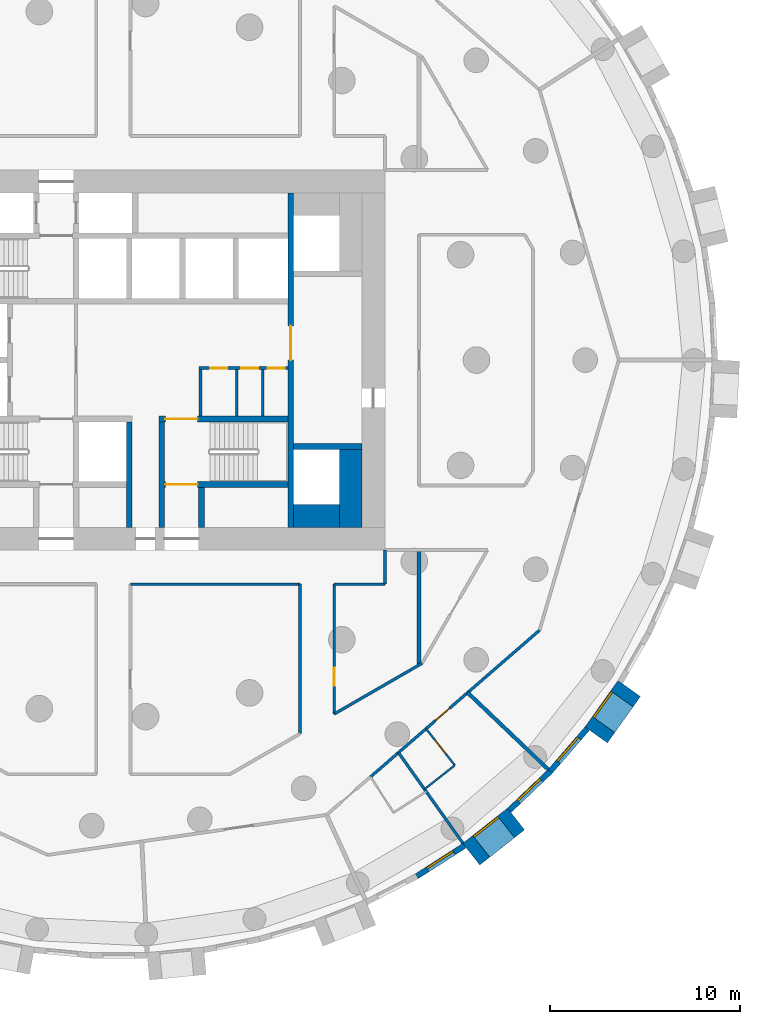
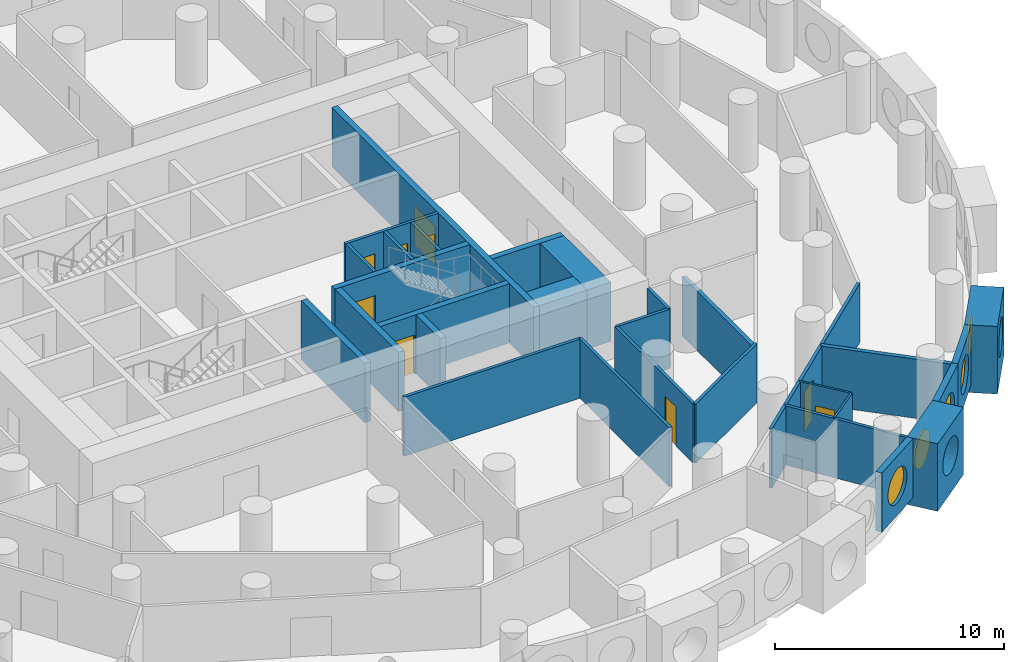
# One storey, part 5 of 11: 30 walls, 9 doors, 5 windows, 14 openings.
"""IFC4 building model written with IfcOpenShell, lengths in metres."""

from ifc_helpers import new_model, si_unit, direction, frame, frame_2d, origin, origin_2d, place, context, subcontext, project, spatial, rectangle, circle, extrude, material, layer, layer_set, type_object, element, fill, save


model = new_model("IFC4")

# Units and contexts
model_context = context("Model", 3, precision=1e-05, world=origin(), true_north=direction((0.0, 1.0)))
body_context = subcontext(model_context, "Body", "Model", "MODEL_VIEW")
ifc_project = project(units=[si_unit("LENGTHUNIT", "METRE"), si_unit("AREAUNIT", "SQUARE_METRE"), si_unit("VOLUMEUNIT", "CUBIC_METRE"), si_unit("PLANEANGLEUNIT", "RADIAN"), si_unit("MASSUNIT", "GRAM", prefix="KILO")], contexts=[model_context])

# Site, building, storey
site_placement = place(None, origin())
site = spatial("IfcSite", under=ifc_project, at=site_placement, CompositionType="ELEMENT")
building_placement = place(site_placement, origin())
building = spatial("IfcBuilding", under=site, at=building_placement, Name="Tracery Tower", CompositionType="ELEMENT")
storey_placement = place(building_placement, frame((0.0, 0.0, 67.800048828125)))
storey = spatial("IfcBuildingStorey", under=building, at=storey_placement, Name="L16", CompositionType="ELEMENT", Elevation=67.800048828125)

# Wall
ifc_material_1 = material(Name="Plasterboard on steel studs", Category="steel")
ifc_layer_1 = layer(ifc_material_1, 0.14990234375)
ifc_layer_set_1 = layer_set([ifc_layer_1], Name="Core room partition 150")
wall_type_1 = type_object("IfcWallType", Name="Core room partition 150", PredefinedType="SOLIDWALL", material=ifc_layer_set_1)
wall_1_placement = place(storey_placement, frame((4.300048828125, -2.949951171875, 0.0), z_axis=(0.0, 0.0, 1.0), x_axis=(0.0, 1.0, 0.0)))
element("IfcWall", 1, at=wall_1_placement, inside=storey, type_object=wall_type_1, Name="L16 slot W", PredefinedType="SOLIDWALL", context=body_context, shape_type="SweptSolid", body=[
    extrude(rectangle(XDim=2.449951171875, YDim=0.14990234375, at=frame_2d((1.22509765625, 0.0))), origin(), (0.0, 0.0, 1.0), 3.14990234375),
])

# Wall, openings, doors
wall_2_placement = place(storey_placement, frame((4.22509765625, -0.425048828125, 0.0), z_axis=(0.0, 0.0, 1.0), x_axis=(1.0, 0.0, 0.0)))
wall_2 = element("IfcWall", 2, at=wall_2_placement, inside=storey, type_object=wall_type_1, Name="L16 slot N", PredefinedType="SOLIDWALL", context=body_context, shape_type="SweptSolid", body=[
    extrude(rectangle(XDim=4.6748046875, YDim=0.14990234375, at=frame_2d((2.33740234375, 0.0))), origin(), (0.0, 0.0, 1.0), 3.14990234375),
])
opening_1_placement = place(wall_2_placement, frame((0.574951171875, 0.0, 0.0)))
opening_1 = element("IfcOpeningElement", 3, at=opening_1_placement, cuts=wall_2, Name="Opening KD22", PredefinedType="OPENING", context=body_context, shape_type="SweptSolid", body=[
    extrude(rectangle(XDim=0.89990234375, YDim=2.10009765625, at=frame_2d((0.449951171875, 1.050048828125))), frame((0.0, 0.074951171875, 0.0), z_axis=(0.0, -1.0, 0.0), x_axis=(1.0, 0.0, 0.0)), (0.0, 0.0, 1.0), 0.14990234375),
])
opening_2_placement = place(wall_2_placement, frame((2.21240234375, 0.0, 0.0)))
opening_2 = element("IfcOpeningElement", 4, at=opening_2_placement, cuts=wall_2, Name="Opening KD31", PredefinedType="OPENING", context=body_context, shape_type="SweptSolid", body=[
    extrude(rectangle(XDim=0.89990234375, YDim=2.10009765625, at=frame_2d((0.449951171875, 1.050048828125))), frame((0.0, 0.074951171875, 0.0), z_axis=(0.0, -1.0, 0.0), x_axis=(1.0, 0.0, 0.0)), (0.0, 0.0, 1.0), 0.14990234375),
])
opening_3_placement = place(wall_2_placement, frame((3.60009765625, 0.0, 0.0)))
opening_3 = element("IfcOpeningElement", 5, at=opening_3_placement, cuts=wall_2, Name="Opening KD27", PredefinedType="OPENING", context=body_context, shape_type="SweptSolid", body=[
    extrude(rectangle(XDim=0.89990234375, YDim=2.10009765625, at=frame_2d((0.449951171875, 1.050048828125))), frame((0.0, 0.074951171875, 0.0), z_axis=(0.0, -1.0, 0.0), x_axis=(1.0, 0.0, 0.0)), (0.0, 0.0, 1.0), 0.14990234375),
])
ifc_material_2 = material(Name="Timber door leaf", Category="wood")
door_type_1 = type_object("IfcDoorType", Name="Core WC door 900", OperationType="NOTDEFINED", PredefinedType="DOOR", material=ifc_material_2)
door_1_placement = place(opening_1_placement, origin())
door_1 = element("IfcDoor", 6, at=door_1_placement, inside=storey, type_object=door_type_1, Name="Core door", OperationType="SINGLE_SWING_RIGHT", OverallHeight=2.10009765625, OverallWidth=0.89990234375, PredefinedType="DOOR", context=body_context, shape_type="SweptSolid", body=[
    extrude(rectangle(XDim=0.89990234375, YDim=2.10009765625, at=frame_2d((0.449951171875, 1.050048828125))), frame((0.0, 0.02490234375, 0.0), z_axis=(0.0, -1.0, 0.0), x_axis=(1.0, 0.0, 0.0)), (0.0, 0.0, 1.0), 0.050048828125),
])
fill(opening_1, door_1)
ifc_material_3 = material(Name="Steel fire door", Category="steel")
door_type_2 = type_object("IfcDoorType", Name="Core riser door 900", OperationType="NOTDEFINED", PredefinedType="DOOR", material=ifc_material_3)
door_2_placement = place(opening_2_placement, origin())
door_2 = element("IfcDoor", 7, at=door_2_placement, inside=storey, type_object=door_type_2, Name="Core door", OperationType="SINGLE_SWING_LEFT", OverallHeight=2.10009765625, OverallWidth=0.89990234375, PredefinedType="DOOR", context=body_context, shape_type="SweptSolid", body=[
    extrude(rectangle(XDim=0.89990234375, YDim=2.10009765625, at=frame_2d((0.449951171875, 1.050048828125))), frame((0.0, 0.02490234375, 0.0), z_axis=(0.0, -1.0, 0.0), x_axis=(1.0, 0.0, 0.0)), (0.0, 0.0, 1.0), 0.050048828125),
])
fill(opening_2, door_2)
ifc_material_4 = material(Name="Timber door leaf", Category="wood")
door_type_3 = type_object("IfcDoorType", Name="Core store door 900", OperationType="NOTDEFINED", PredefinedType="DOOR", material=ifc_material_4)
door_3_placement = place(opening_3_placement, origin())
door_3 = element("IfcDoor", 8, at=door_3_placement, inside=storey, type_object=door_type_3, Name="Core door", OperationType="SINGLE_SWING_RIGHT", OverallHeight=2.10009765625, OverallWidth=0.89990234375, PredefinedType="DOOR", context=body_context, shape_type="SweptSolid", body=[
    extrude(rectangle(XDim=0.89990234375, YDim=2.10009765625, at=frame_2d((0.449951171875, 1.050048828125))), frame((0.0, 0.02490234375, 0.0), z_axis=(0.0, -1.0, 0.0), x_axis=(1.0, 0.0, 0.0)), (0.0, 0.0, 1.0), 0.050048828125),
])
fill(opening_3, door_3)

# Walls
for number, where, z_axis, x_axis, name in (
    (9, (6.199951171875, -2.949951171875, 0.0), (0.0, 0.0, 1.0), (0.0, 1.0, 0.0), "L16 slot sep 1"),
    (10, (7.574951171875, -2.949951171875, 0.0), (0.0, 0.0, 1.0), (0.0, 1.0, 0.0), "L16 slot sep 2"),
):
    element("IfcWall", number, at=place(storey_placement, frame(where, z_axis=z_axis, x_axis=x_axis)), inside=storey, type_object=wall_type_1, Name=name, PredefinedType="SOLIDWALL", context=body_context, shape_type="SweptSolid", body=[
        extrude(rectangle(XDim=2.449951171875, YDim=0.14990234375, at=frame_2d((1.22509765625, 0.0))), origin(), (0.0, 0.0, 1.0), 3.14990234375),
    ])
ifc_material_5 = material(Name="Concrete C60/75", Category="concrete")
ifc_layer_2 = layer(ifc_material_5, 1.199951171875)
ifc_layer_set_2 = layer_set([ifc_layer_2], Name="Core strip wall 1200 C60")
wall_type_2 = type_object("IfcWallType", Name="Core strip wall 1200 C60", PredefinedType="SOLIDWALL", material=ifc_layer_set_2)
wall_3_placement = place(storey_placement, frame((12.199951171875, -8.800048828125, 0.0), z_axis=(0.0, 0.0, 1.0), x_axis=(0.0, 1.0, 0.0)))
element("IfcWall", 11, at=wall_3_placement, inside=storey, type_object=wall_type_2, Name="L16 wing strip +1 -9.4", PredefinedType="SOLIDWALL", context=body_context, shape_type="SweptSolid", body=[
    extrude(rectangle(XDim=4.10009765625, YDim=1.199951171875, at=frame_2d((2.050048828125, 0.0))), origin(), (0.0, 0.0, 1.0), 3.14990234375),
])
wall_4_placement = place(storey_placement, frame((9.199951171875, -8.199951171875, 0.0), z_axis=(0.0, 0.0, 1.0), x_axis=(1.0, 0.0, 0.0)))
element("IfcWall", 12, at=wall_4_placement, inside=storey, type_object=wall_type_2, Name="L16 wing corner +1 -8.2", PredefinedType="SOLIDWALL", context=body_context, shape_type="SweptSolid", body=[
    extrude(rectangle(XDim=2.400146484375, YDim=1.199951171875, at=frame_2d((1.2001953125, 0.0))), origin(), (0.0, 0.0, 1.0), 3.14990234375),
])

# Wall, opening, window
ifc_material_6 = material(Name="Precast concrete C50/60", Category="concrete")
ifc_layer_3 = layer(ifc_material_6, 1.449951171875)
ifc_layer_set_3 = layer_set([ifc_layer_3], Name="Deep-set bay unit 3000 x 3600, slab edge 450")
wall_type_3 = type_object("IfcWallType", Name="Deep-set bay unit 3000 x 3600, slab edge 450", PredefinedType="ELEMENTEDWALL", material=ifc_layer_set_3)
wall_5_placement = place(storey_placement, frame((18.548828125, -26.01318359375, -0.449951171875), z_axis=(0.0, 0.0, 1.0), x_axis=(0.786049992888, 0.618162930529, 0.0)))
wall_5 = element("IfcWall", 13, at=wall_5_placement, inside=storey, type_object=wall_type_3, Name="Deep-set bay unit 57 at L16", PredefinedType="ELEMENTEDWALL", context=body_context, shape_type="SweptSolid", body=[
    extrude(rectangle(XDim=3.0, YDim=1.449951171875, at=frame_2d((1.5, 0.0))), origin(), (0.0, 0.0, 1.0), 3.599853515625),
])
opening_4_placement = place(wall_5_placement, frame((1.5, 0.0, 2.0)))
opening_4 = element("IfcOpeningElement", 14, at=opening_4_placement, cuts=wall_5, Name="Opening WN1", PredefinedType="OPENING", context=body_context, shape_type="SweptSolid", body=[
    extrude(circle(Radius=0.9000244140625, at=origin_2d()), frame((0.0, 0.73486328125, 0.0), z_axis=(0.0, -1.0, 0.0), x_axis=(1.0, 0.0, 0.0)), (0.0, 0.0, 1.0), 1.469970703125),
])
ifc_material_7 = material(Name="Aluminium frame with tinted double glazing", Category="aluminium")
window_type = type_object("IfcWindowType", Name="Round window 1800", PartitioningType="SINGLE_PANEL", PredefinedType="WINDOW", material=ifc_material_7)
window_1_placement = place(opening_4_placement, origin())
window_1 = element("IfcWindow", 15, at=window_1_placement, inside=storey, type_object=window_type, Name="Round window 57 at L16", OverallHeight=1.800048828125, OverallWidth=1.800048828125, PartitioningType="SINGLE_PANEL", PredefinedType="WINDOW", context=body_context, shape_type="SweptSolid", body=[
    extrude(circle(Radius=0.9000244140625, at=origin_2d()), frame((0.0, 0.69482421875, 0.0), z_axis=(0.0, -1.0, 0.0), x_axis=(1.0, 0.0, 0.0)), (0.0, 0.0, 1.0), 0.10009765625),
])
fill(opening_4, window_1)

wall_6_placement = place(storey_placement, frame((25.126220703125, -19.733642578125, -0.449951171875), z_axis=(0.0, 0.0, 1.0), x_axis=(0.580090570606, 0.814551981088, 0.0)))
wall_6 = element("IfcWall", 16, at=wall_6_placement, inside=storey, type_object=wall_type_3, Name="Deep-set bay unit 60 at L16", PredefinedType="ELEMENTEDWALL", context=body_context, shape_type="SweptSolid", body=[
    extrude(rectangle(XDim=3.0, YDim=1.449951171875, at=frame_2d((1.5, 0.0))), origin(), (0.0, 0.0, 1.0), 3.599853515625),
])
opening_5_placement = place(wall_6_placement, frame((1.5, 0.0, 2.0)))
opening_5 = element("IfcOpeningElement", 17, at=opening_5_placement, cuts=wall_6, Name="Opening WN1", PredefinedType="OPENING", context=body_context, shape_type="SweptSolid", body=[
    extrude(circle(Radius=0.9000244140625, at=origin_2d()), frame((0.0, 0.73486328125, 0.0), z_axis=(0.0, -1.0, 0.0), x_axis=(1.0, 0.0, 0.0)), (0.0, 0.0, 1.0), 1.469970703125),
])
window_2_placement = place(opening_5_placement, origin())
window_2 = element("IfcWindow", 18, at=window_2_placement, inside=storey, type_object=window_type, Name="Round window 60 at L16", OverallHeight=1.800048828125, OverallWidth=1.800048828125, PartitioningType="SINGLE_PANEL", PredefinedType="WINDOW", context=body_context, shape_type="SweptSolid", body=[
    extrude(circle(Radius=0.9000244140625, at=origin_2d()), frame((0.0, 0.69482421875, 0.0), z_axis=(0.0, -1.0, 0.0), x_axis=(1.0, 0.0, 0.0)), (0.0, 0.0, 1.0), 0.10009765625),
])
fill(opening_5, window_2)

ifc_material_8 = material(Name="Precast concrete C50/60", Category="concrete")
ifc_layer_4 = layer(ifc_material_8, 0.300048828125)
ifc_layer_set_4 = layer_set([ifc_layer_4], Name="Facade panel 3000 x 3150")
wall_type_4 = type_object("IfcWallType", Name="Facade panel 3000 x 3150", PredefinedType="SOLIDWALL", material=ifc_layer_set_4)
wall_7_placement = place(storey_placement, frame((15.687255859375, -27.171142578125, 0.0), z_axis=(0.0, 0.0, 1.0), x_axis=(0.84122372879, 0.540687190639, 0.0)))
wall_7 = element("IfcWall", 19, at=wall_7_placement, inside=storey, type_object=wall_type_4, Name="Facade panel 56 at L16", PredefinedType="SOLIDWALL", context=body_context, shape_type="SweptSolid", body=[
    extrude(rectangle(XDim=2.979736328125, YDim=0.300048828125, at=frame_2d((1.48974609375, 0.0))), origin(), (0.0, 0.0, 1.0), 3.14990234375),
])
opening_6_placement = place(wall_7_placement, frame((1.48974609375, 0.0, 1.5498046875)))
opening_6 = element("IfcOpeningElement", 20, at=opening_6_placement, cuts=wall_7, Name="Opening WN1", PredefinedType="OPENING", context=body_context, shape_type="SweptSolid", body=[
    extrude(circle(Radius=0.9000244140625, at=origin_2d()), frame((0.0, 0.159912109375, 0.0), z_axis=(0.0, -1.0, 0.0), x_axis=(1.0, 0.0, 0.0)), (0.0, 0.0, 1.0), 0.320068359375),
])
window_3_placement = place(opening_6_placement, origin())
window_3 = element("IfcWindow", 21, at=window_3_placement, inside=storey, type_object=window_type, Name="Round window 56 at L16", OverallHeight=1.800048828125, OverallWidth=1.800048828125, PartitioningType="SINGLE_PANEL", PredefinedType="WINDOW", context=body_context, shape_type="SweptSolid", body=[
    extrude(circle(Radius=0.9000244140625, at=origin_2d()), frame((0.0, 0.1201171875, 0.0), z_axis=(0.0, -1.0, 0.0), x_axis=(1.0, 0.0, 0.0)), (0.0, 0.0, 1.0), 0.10009765625),
])
fill(opening_6, window_3)

wall_8_placement = place(storey_placement, frame((20.55029296875, -23.70703125, 0.0), z_axis=(0.0, 0.0, 1.0), x_axis=(0.723744206617, 0.690068346896, 0.0)))
wall_8 = element("IfcWall", 22, at=wall_8_placement, inside=storey, type_object=wall_type_4, Name="Facade panel 58 at L16", PredefinedType="SOLIDWALL", context=body_context, shape_type="SweptSolid", body=[
    extrude(rectangle(XDim=2.979736328125, YDim=0.300048828125, at=frame_2d((1.48974609375, 0.0))), origin(), (0.0, 0.0, 1.0), 3.14990234375),
])
opening_7_placement = place(wall_8_placement, frame((1.48974609375, 0.0, 1.5498046875)))
opening_7 = element("IfcOpeningElement", 23, at=opening_7_placement, cuts=wall_8, Name="Opening WN1", PredefinedType="OPENING", context=body_context, shape_type="SweptSolid", body=[
    extrude(circle(Radius=0.9000244140625, at=origin_2d()), frame((0.0, 0.159912109375, 0.0), z_axis=(0.0, -1.0, 0.0), x_axis=(1.0, 0.0, 0.0)), (0.0, 0.0, 1.0), 0.320068359375),
])
window_4_placement = place(opening_7_placement, origin())
window_4 = element("IfcWindow", 24, at=window_4_placement, inside=storey, type_object=window_type, Name="Round window 58 at L16", OverallHeight=1.800048828125, OverallWidth=1.800048828125, PartitioningType="SINGLE_PANEL", PredefinedType="WINDOW", context=body_context, shape_type="SweptSolid", body=[
    extrude(circle(Radius=0.9000244140625, at=origin_2d()), frame((0.0, 0.1201171875, 0.0), z_axis=(0.0, -1.0, 0.0), x_axis=(1.0, 0.0, 0.0)), (0.0, 0.0, 1.0), 0.10009765625),
])
fill(opening_7, window_4)

wall_9_placement = place(storey_placement, frame((22.706787109375, -21.65087890625, 0.0), z_axis=(0.0, 0.0, 1.0), x_axis=(0.654830712471, 0.755775587066, 0.0)))
wall_9 = element("IfcWall", 25, at=wall_9_placement, inside=storey, type_object=wall_type_4, Name="Facade panel 59 at L16", PredefinedType="SOLIDWALL", context=body_context, shape_type="SweptSolid", body=[
    extrude(rectangle(XDim=2.979736328125, YDim=0.300048828125, at=frame_2d((1.48974609375, 0.0))), origin(), (0.0, 0.0, 1.0), 3.14990234375),
])
opening_8_placement = place(wall_9_placement, frame((1.48974609375, 0.0, 1.5498046875)))
opening_8 = element("IfcOpeningElement", 26, at=opening_8_placement, cuts=wall_9, Name="Opening WN1", PredefinedType="OPENING", context=body_context, shape_type="SweptSolid", body=[
    extrude(circle(Radius=0.9000244140625, at=origin_2d()), frame((0.0, 0.159912109375, 0.0), z_axis=(0.0, -1.0, 0.0), x_axis=(1.0, 0.0, 0.0)), (0.0, 0.0, 1.0), 0.320068359375),
])
window_5_placement = place(opening_8_placement, origin())
window_5 = element("IfcWindow", 27, at=window_5_placement, inside=storey, type_object=window_type, Name="Round window 59 at L16", OverallHeight=1.800048828125, OverallWidth=1.800048828125, PartitioningType="SINGLE_PANEL", PredefinedType="WINDOW", context=body_context, shape_type="SweptSolid", body=[
    extrude(circle(Radius=0.9000244140625, at=origin_2d()), frame((0.0, 0.1201171875, 0.0), z_axis=(0.0, -1.0, 0.0), x_axis=(1.0, 0.0, 0.0)), (0.0, 0.0, 1.0), 0.10009765625),
])
fill(opening_8, window_5)

# Wall
ifc_material_9 = material(Name="Plasterboard on steel studs", Category="steel")
ifc_layer_5 = layer(ifc_material_9, 0.10009765625)
ifc_layer_set_5 = layer_set([ifc_layer_5], Name="Partition 100 wet wall")
wall_type_5 = type_object("IfcWallType", Name="Partition 100 wet wall", PredefinedType="PARTITIONING", material=ifc_layer_set_5)
wall_10_placement = place(storey_placement, frame((16.0859375, -22.589111328125, 0.0), z_axis=(0.0, 0.0, 1.0), x_axis=(0.785984904201, 0.618245687707, 0.0)))
element("IfcWall", 28, at=wall_10_placement, inside=storey, type_object=wall_type_5, Name="Wet wall RA4-090", PredefinedType="PARTITIONING", context=body_context, shape_type="SweptSolid", body=[
    extrude(rectangle(XDim=2.033203125, YDim=0.10009765625, at=frame_2d((1.0166015625, 0.0))), origin(), (0.0, 0.0, 1.0), 3.14990234375),
])

# Wall, opening, door
wall_11_placement = place(storey_placement, frame((16.16796875, -19.404052734375, 0.0), z_axis=(0.0, 0.0, 1.0), x_axis=(0.618142414415, -0.786066126672, 0.0)))
wall_11 = element("IfcWall", 29, at=wall_11_placement, inside=storey, type_object=wall_type_5, Name="Wet wall RA4-091", PredefinedType="PARTITIONING", context=body_context, shape_type="SweptSolid", body=[
    extrude(rectangle(XDim=2.45263671875, YDim=0.10009765625, at=frame_2d((1.226318359375, 0.0))), origin(), (0.0, 0.0, 1.0), 3.14990234375),
])
opening_9_placement = place(wall_11_placement, frame((0.776611328125, 0.0, 0.0)))
opening_9 = element("IfcOpeningElement", 30, at=opening_9_placement, cuts=wall_11, Name="Opening RA4-32", PredefinedType="OPENING", context=body_context, shape_type="SweptSolid", body=[
    extrude(rectangle(XDim=0.89990234375, YDim=2.0400390625, at=frame_2d((0.449951171875, 1.02001953125))), frame((0.0, 0.050048828125, 0.0), z_axis=(0.0, -1.0, 0.0), x_axis=(1.0, 0.0, 0.0)), (0.0, 0.0, 1.0), 0.10009765625),
])
ifc_material_10 = material(Name="Timber door leaf", Category="wood")
door_type_4 = type_object("IfcDoorType", Name="Door en-suite 900", OperationType="NOTDEFINED", PredefinedType="DOOR", material=ifc_material_10)
door_4_placement = place(opening_9_placement, origin())
door_4 = element("IfcDoor", 31, at=door_4_placement, inside=storey, type_object=door_type_4, Name="En-suite door RA4-32", OperationType="SINGLE_SWING_LEFT", OverallHeight=2.0400390625, OverallWidth=0.89990234375, PredefinedType="DOOR", context=body_context, shape_type="SweptSolid", body=[
    extrude(rectangle(XDim=0.89990234375, YDim=2.0400390625, at=frame_2d((0.449951171875, 1.02001953125))), frame((0.0, 0.02490234375, 0.0), z_axis=(0.0, -1.0, 0.0), x_axis=(1.0, 0.0, 0.0)), (0.0, 0.0, 1.0), 0.050048828125),
])
fill(opening_9, door_4)

# Walls
ifc_material_11 = material(Name="Plasterboard on steel studs", Category="steel")
ifc_layer_6 = layer(ifc_material_11, 0.14990234375)
ifc_layer_set_6 = layer_set([ifc_layer_6], Name="Partition 150 acoustic unit wall")
wall_type_6 = type_object("IfcWallType", Name="Partition 150 acoustic unit wall", PredefinedType="PARTITIONING", material=ifc_layer_set_6)
wall_12_placement = place(storey_placement, frame((14.71533203125, -20.663818359375, 0.0), z_axis=(0.0, 0.0, 1.0), x_axis=(0.57995989616, -0.814645026282, 0.0)))
element("IfcWall", 32, at=wall_12_placement, inside=storey, type_object=wall_type_6, Name="Unit wall RA4-089", PredefinedType="PARTITIONING", context=body_context, shape_type="SweptSolid", body=[
    extrude(rectangle(XDim=5.85693359375, YDim=0.14990234375, at=frame_2d((2.928466796875, 0.0))), origin(), (0.0, 0.0, 1.0), 3.14990234375),
])
ifc_material_12 = material(Name="Plasterboard on steel studs", Category="steel")
ifc_layer_7 = layer(ifc_material_12, 0.14990234375)
ifc_layer_set_7 = layer_set([ifc_layer_7], Name="Partition 150 corridor wall")
wall_type_7 = type_object("IfcWallType", Name="Partition 150 corridor wall", PredefinedType="PARTITIONING", material=ifc_layer_set_7)
wall_13_placement = place(storey_placement, frame((0.60400390625, -11.800048828125, 0.0), z_axis=(0.0, 0.0, 1.0), x_axis=(1.0, 0.0, 0.0)))
element("IfcWall", 33, at=wall_13_placement, inside=storey, type_object=wall_type_7, Name="Corridor wall RA4-007", PredefinedType="PARTITIONING", context=body_context, shape_type="SweptSolid", body=[
    extrude(rectangle(XDim=8.93603515625, YDim=0.14990234375, at=frame_2d((4.468017578125, 0.0))), origin(), (0.0, 0.0, 1.0), 3.14990234375),
])
wall_14_placement = place(storey_placement, frame((14.0, -11.800048828125, 0.0), z_axis=(0.0, 0.0, 1.0), x_axis=(0.0, 1.0, 0.0)))
element("IfcWall", 34, at=wall_14_placement, inside=storey, type_object=wall_type_7, Name="Corridor wall RA4-008", PredefinedType="PARTITIONING", context=body_context, shape_type="SweptSolid", body=[
    extrude(rectangle(XDim=1.800048828125, YDim=0.14990234375, at=frame_2d((0.89990234375, 0.0))), origin(), (0.0, 0.0, 1.0), 3.14990234375),
])
wall_15_placement = place(storey_placement, frame((11.33203125, -11.800048828125, 0.0), z_axis=(0.0, 0.0, 1.0), x_axis=(1.0, 0.0, 0.0)))
element("IfcWall", 35, at=wall_15_placement, inside=storey, type_object=wall_type_7, Name="Corridor wall RA4-009", PredefinedType="PARTITIONING", context=body_context, shape_type="SweptSolid", body=[
    extrude(rectangle(XDim=2.66796875, YDim=0.14990234375, at=frame_2d((1.333984375, 0.0))), origin(), (0.0, 0.0, 1.0), 3.14990234375),
])

# Wall, opening, door
wall_16_placement = place(storey_placement, frame((13.247314453125, -21.939453125, 0.0), z_axis=(0.0, 0.0, 1.0), x_axis=(0.755420750547, 0.655240024451, 0.0)))
wall_16 = element("IfcWall", 36, at=wall_16_placement, inside=storey, type_object=wall_type_7, Name="Corridor wall RA4-024", PredefinedType="PARTITIONING", context=body_context, shape_type="SweptSolid", body=[
    extrude(rectangle(XDim=11.770751953125, YDim=0.14990234375, at=frame_2d((5.88525390625, 0.0))), origin(), (0.0, 0.0, 1.0), 3.14990234375),
])
opening_10_placement = place(wall_16_placement, frame((4.512939453125, 0.0, 0.0)))
opening_10 = element("IfcOpeningElement", 37, at=opening_10_placement, cuts=wall_16, Name="Opening RA4-33", PredefinedType="OPENING", context=body_context, shape_type="SweptSolid", body=[
    extrude(rectangle(XDim=1.0, YDim=2.10009765625, at=frame_2d((0.5, 1.050048828125))), frame((0.0, 0.074951171875, 0.0), z_axis=(0.0, -1.0, 0.0), x_axis=(1.0, 0.0, 0.0)), (0.0, 0.0, 1.0), 0.14990234375),
])
ifc_material_13 = material(Name="Timber door leaf", Category="wood")
door_type_5 = type_object("IfcDoorType", Name="Door unit entrance 1000", OperationType="NOTDEFINED", PredefinedType="DOOR", material=ifc_material_13)
door_5_placement = place(opening_10_placement, origin())
door_5 = element("IfcDoor", 38, at=door_5_placement, inside=storey, type_object=door_type_5, Name="Unit entrance door RA4-33", OperationType="SINGLE_SWING_LEFT", OverallHeight=2.10009765625, OverallWidth=1.0, PredefinedType="DOOR", context=body_context, shape_type="SweptSolid", body=[
    extrude(rectangle(XDim=1.0, YDim=2.10009765625, at=frame_2d((0.5, 1.050048828125))), frame((0.0, 0.02490234375, 0.0), z_axis=(0.0, -1.0, 0.0), x_axis=(1.0, 0.0, 0.0)), (0.0, 0.0, 1.0), 0.050048828125),
])
fill(opening_10, door_5)

# Wall
wall_17_placement = place(storey_placement, frame((9.535888671875, -19.6689453125, 0.0), z_axis=(0.0, 0.0, 1.0), x_axis=(0.0, 1.0, 0.0)))
element("IfcWall", 39, at=wall_17_placement, inside=storey, type_object=wall_type_7, Name="Corridor wall RA4-055", PredefinedType="PARTITIONING", context=body_context, shape_type="SweptSolid", body=[
    extrude(rectangle(XDim=7.868896484375, YDim=0.14990234375, at=frame_2d((3.9345703125, 0.0))), origin(), (0.0, 0.0, 1.0), 3.14990234375),
])

# Wall, opening, door
wall_18_placement = place(storey_placement, frame((11.3359375, -18.6298828125, 0.0), z_axis=(0.0, 0.0, 1.0), x_axis=(0.0, 1.0, 0.0)))
wall_18 = element("IfcWall", 40, at=wall_18_placement, inside=storey, type_object=wall_type_7, Name="Corridor wall RA4-056", PredefinedType="PARTITIONING", context=body_context, shape_type="SweptSolid", body=[
    extrude(rectangle(XDim=6.829833984375, YDim=0.14990234375, at=frame_2d((3.4150390625, 0.0))), origin(), (0.0, 0.0, 1.0), 3.14990234375),
])
opening_11_placement = place(wall_18_placement, frame((1.489990234375, 0.0, 0.0)))
opening_11 = element("IfcOpeningElement", 41, at=opening_11_placement, cuts=wall_18, Name="Opening RA4-06", PredefinedType="OPENING", context=body_context, shape_type="SweptSolid", body=[
    extrude(rectangle(XDim=0.949951171875, YDim=2.10009765625, at=frame_2d((0.47509765625, 1.050048828125))), frame((0.0, 0.074951171875, 0.0), z_axis=(0.0, -1.0, 0.0), x_axis=(1.0, 0.0, 0.0)), (0.0, 0.0, 1.0), 0.14990234375),
])
ifc_material_14 = material(Name="Timber door leaf", Category="wood")
door_type_6 = type_object("IfcDoorType", Name="Door store 950", OperationType="NOTDEFINED", PredefinedType="DOOR", material=ifc_material_14)
door_6_placement = place(opening_11_placement, origin())
door_6 = element("IfcDoor", 42, at=door_6_placement, inside=storey, type_object=door_type_6, Name="Store door RA4-06", OperationType="SINGLE_SWING_RIGHT", OverallHeight=2.10009765625, OverallWidth=0.949951171875, PredefinedType="DOOR", context=body_context, shape_type="SweptSolid", body=[
    extrude(rectangle(XDim=0.949951171875, YDim=2.10009765625, at=frame_2d((0.47509765625, 1.050048828125))), frame((0.0, 0.02490234375, 0.0), z_axis=(0.0, -1.0, 0.0), x_axis=(1.0, 0.0, 0.0)), (0.0, 0.0, 1.0), 0.050048828125),
])
fill(opening_11, door_6)

# Walls
wall_19_placement = place(storey_placement, frame((11.3359375, -18.6298828125, 0.0), z_axis=(0.0, 0.0, 1.0), x_axis=(0.866056911224, 0.499945423543, 0.0)))
element("IfcWall", 43, at=wall_19_placement, inside=storey, type_object=wall_type_7, Name="Corridor wall RA4-057", PredefinedType="PARTITIONING", context=body_context, shape_type="SweptSolid", body=[
    extrude(rectangle(XDim=5.33935546875, YDim=0.14990234375, at=frame_2d((2.669677734375, 0.0))), origin(), (0.0, 0.0, 1.0), 3.14990234375),
])
ifc_material_15 = material(Name="Plasterboard on steel studs", Category="steel")
ifc_layer_8 = layer(ifc_material_15, 0.199951171875)
ifc_layer_set_8 = layer_set([ifc_layer_8], Name="Partition 200 compartment wall")
wall_type_8 = type_object("IfcWallType", Name="Partition 200 compartment wall", PredefinedType="PARTITIONING", material=ifc_layer_set_8)
wall_20_placement = place(storey_placement, frame((15.800048828125, -16.052978515625, 0.0), z_axis=(0.0, 0.0, 1.0), x_axis=(0.0, 1.0, 0.0)))
element("IfcWall", 44, at=wall_20_placement, inside=storey, type_object=wall_type_8, Name="Compartment wall RA4-064", PredefinedType="PARTITIONING", context=body_context, shape_type="SweptSolid", body=[
    extrude(rectangle(XDim=6.052978515625, YDim=0.199951171875, at=frame_2d((3.0263671875, 0.0))), origin(), (0.0, 0.0, 1.0), 3.14990234375),
])
wall_21_placement = place(storey_placement, frame((18.35888671875, -17.506103515625, 0.0), z_axis=(0.0, 0.0, 1.0), x_axis=(0.723808715798, -0.690000683286, 0.0)))
element("IfcWall", 45, at=wall_21_placement, inside=storey, type_object=wall_type_8, Name="Compartment wall RA4-092", PredefinedType="PARTITIONING", context=body_context, shape_type="SweptSolid", body=[
    extrude(rectangle(XDim=5.8564453125, YDim=0.199951171875, at=frame_2d((2.92822265625, 0.0))), origin(), (0.0, 0.0, 1.0), 3.14990234375),
])
ifc_material_16 = material(Name="Concrete C60/75", Category="concrete")
ifc_layer_9 = layer(ifc_material_16, 0.300048828125)
ifc_layer_set_9 = layer_set([ifc_layer_9], Name="Shaft wall 300 C60")
wall_type_9 = type_object("IfcWallType", Name="Shaft wall 300 C60", PredefinedType="SOLIDWALL", material=ifc_layer_set_9)
wall_22_placement = place(storey_placement, frame((0.550048828125, -8.800048828125, 0.0), z_axis=(0.0, 0.0, 1.0), x_axis=(0.0, 1.0, 0.0)))
element("IfcWall", 46, at=wall_22_placement, inside=storey, type_object=wall_type_9, Name="L16 OB2 E", PredefinedType="SOLIDWALL", context=body_context, shape_type="SweptSolid", body=[
    extrude(rectangle(XDim=5.550048828125, YDim=0.300048828125, at=frame_2d((2.77490234375, 0.0))), origin(), (0.0, 0.0, 1.0), 3.14990234375),
])
wall_23_placement = place(storey_placement, frame((4.35009765625, -8.800048828125, 0.0), z_axis=(0.0, 0.0, 1.0), x_axis=(0.0, 1.0, 0.0)))
element("IfcWall", 47, at=wall_23_placement, inside=storey, type_object=wall_type_9, Name="L16 band S +4.35", PredefinedType="SOLIDWALL", context=body_context, shape_type="SweptSolid", body=[
    extrude(rectangle(XDim=2.10009765625, YDim=0.300048828125, at=frame_2d((1.050048828125, 0.0))), origin(), (0.0, 0.0, 1.0), 3.14990234375),
])
wall_24_placement = place(storey_placement, frame((9.199951171875, -4.550048828125, 0.0), z_axis=(0.0, 0.0, 1.0), x_axis=(1.0, 0.0, 0.0)))
element("IfcWall", 48, at=wall_24_placement, inside=storey, type_object=wall_type_9, Name="L16 wing shaft wall +1 -4.55", PredefinedType="SOLIDWALL", context=body_context, shape_type="SweptSolid", body=[
    extrude(rectangle(XDim=3.60009765625, YDim=0.300048828125, at=frame_2d((1.800048828125, 0.0))), origin(), (0.0, 0.0, 1.0), 3.14990234375),
])

# Wall, opening, door
ifc_material_17 = material(Name="Concrete C60/75", Category="concrete")
ifc_layer_10 = layer(ifc_material_17, 0.300048828125)
ifc_layer_set_10 = layer_set([ifc_layer_10], Name="Stair wall 300 C60")
wall_type_10 = type_object("IfcWallType", Name="Stair wall 300 C60", PredefinedType="SOLIDWALL", material=ifc_layer_set_10)
wall_25_placement = place(storey_placement, frame((2.10009765625, -3.10009765625, 0.0), z_axis=(0.0, 0.0, 1.0), x_axis=(1.0, 0.0, 0.0)))
wall_25 = element("IfcWall", 49, at=wall_25_placement, inside=storey, type_object=wall_type_10, Name="L16 row S E", PredefinedType="SOLIDWALL", context=body_context, shape_type="SweptSolid", body=[
    extrude(rectangle(XDim=6.7998046875, YDim=0.300048828125, at=frame_2d((3.39990234375, 0.0))), origin(), (0.0, 0.0, 1.0), 3.14990234375),
])
opening_12_placement = place(wall_25_placement, frame((0.35009765625, 0.0, 0.0)))
opening_12 = element("IfcOpeningElement", 50, at=opening_12_placement, cuts=wall_25, Name="Opening KD3", PredefinedType="OPENING", context=body_context, shape_type="SweptSolid", body=[
    extrude(rectangle(XDim=1.699951171875, YDim=2.10009765625, at=frame_2d((0.85009765625, 1.050048828125))), frame((0.0, 0.14990234375, 0.0), z_axis=(0.0, -1.0, 0.0), x_axis=(1.0, 0.0, 0.0)), (0.0, 0.0, 1.0), 0.300048828125),
])
ifc_material_18 = material(Name="Steel fire door", Category="steel")
door_type_7 = type_object("IfcDoorType", Name="Core stair door 1700 double", OperationType="NOTDEFINED", PredefinedType="DOOR", material=ifc_material_18)
door_7_placement = place(opening_12_placement, origin())
door_7 = element("IfcDoor", 51, at=door_7_placement, inside=storey, type_object=door_type_7, Name="Stair door ST2", OperationType="DOUBLE_DOOR_SINGLE_SWING", OverallHeight=2.10009765625, OverallWidth=1.699951171875, PredefinedType="DOOR", context=body_context, shape_type="SweptSolid", body=[
    extrude(rectangle(XDim=1.699951171875, YDim=2.10009765625, at=frame_2d((0.85009765625, 1.050048828125))), frame((0.0, 0.02490234375, 0.0), z_axis=(0.0, -1.0, 0.0), x_axis=(1.0, 0.0, 0.0)), (0.0, 0.0, 1.0), 0.050048828125),
])
fill(opening_12, door_7)

# Wall
wall_26_placement = place(storey_placement, frame((2.25, -8.800048828125, 0.0), z_axis=(0.0, 0.0, 1.0), x_axis=(0.0, 1.0, 0.0)))
element("IfcWall", 52, at=wall_26_placement, inside=storey, type_object=wall_type_10, Name="L16 ST2 W", PredefinedType="SOLIDWALL", context=body_context, shape_type="SweptSolid", body=[
    extrude(rectangle(XDim=5.550048828125, YDim=0.300048828125, at=frame_2d((2.77490234375, 0.0))), origin(), (0.0, 0.0, 1.0), 3.14990234375),
])

# Wall, opening, door
wall_27_placement = place(storey_placement, frame((9.050048828125, -8.800048828125, 0.0), z_axis=(0.0, 0.0, 1.0), x_axis=(0.0, 1.0, 0.0)))
wall_27 = element("IfcWall", 53, at=wall_27_placement, inside=storey, type_object=wall_type_10, Name="L16 F wall +9", PredefinedType="SOLIDWALL", context=body_context, shape_type="SweptSolid", body=[
    extrude(rectangle(XDim=17.60009765625, YDim=0.300048828125, at=frame_2d((8.800048828125, 0.0))), origin(), (0.0, 0.0, 1.0), 3.14990234375),
])
opening_13_placement = place(wall_27_placement, frame((8.800048828125, 0.0, 0.0)))
opening_13 = element("IfcOpeningElement", 54, at=opening_13_placement, cuts=wall_27, Name="Opening KD13", PredefinedType="OPENING", context=body_context, shape_type="SweptSolid", body=[
    extrude(rectangle(XDim=1.800048828125, YDim=2.10009765625, at=frame_2d((0.89990234375, 1.050048828125))), frame((0.0, 0.14990234375, 0.0), z_axis=(0.0, -1.0, 0.0), x_axis=(1.0, 0.0, 0.0)), (0.0, 0.0, 1.0), 0.300048828125),
])
ifc_material_19 = material(Name="Steel fire door", Category="steel")
door_type_8 = type_object("IfcDoorType", Name="Core exit door 1800 double", OperationType="NOTDEFINED", PredefinedType="DOOR", material=ifc_material_19)
door_8_placement = place(opening_13_placement, origin())
door_8 = element("IfcDoor", 55, at=door_8_placement, inside=storey, type_object=door_type_8, Name="Core exit door", OperationType="DOUBLE_DOOR_SINGLE_SWING", OverallHeight=2.10009765625, OverallWidth=1.800048828125, PredefinedType="DOOR", context=body_context, shape_type="SweptSolid", body=[
    extrude(rectangle(XDim=1.800048828125, YDim=2.10009765625, at=frame_2d((0.89990234375, 1.050048828125))), frame((0.0, 0.02490234375, 0.0), z_axis=(0.0, -1.0, 0.0), x_axis=(1.0, 0.0, 0.0)), (0.0, 0.0, 1.0), 0.050048828125),
])
fill(opening_13, door_8)

wall_28_placement = place(storey_placement, frame((2.39990234375, -6.550048828125, 0.0), z_axis=(0.0, 0.0, 1.0), x_axis=(1.0, 0.0, 0.0)))
wall_28 = element("IfcWall", 56, at=wall_28_placement, inside=storey, type_object=wall_type_10, Name="L16 F S E", PredefinedType="SOLIDWALL", context=body_context, shape_type="SweptSolid", body=[
    extrude(rectangle(XDim=6.5, YDim=0.300048828125, at=frame_2d((3.25, 0.0))), origin(), (0.0, 0.0, 1.0), 3.14990234375),
])
opening_14_placement = place(wall_28_placement, frame((0.050048828125, 0.0, 0.0)))
opening_14 = element("IfcOpeningElement", 57, at=opening_14_placement, cuts=wall_28, Name="Opening KD3", PredefinedType="OPENING", context=body_context, shape_type="SweptSolid", body=[
    extrude(rectangle(XDim=1.699951171875, YDim=2.10009765625, at=frame_2d((0.85009765625, 1.050048828125))), frame((0.0, 0.14990234375, 0.0), z_axis=(0.0, -1.0, 0.0), x_axis=(1.0, 0.0, 0.0)), (0.0, 0.0, 1.0), 0.300048828125),
])
door_9_placement = place(opening_14_placement, origin())
door_9 = element("IfcDoor", 58, at=door_9_placement, inside=storey, type_object=door_type_7, Name="Stair door ST2 S", OperationType="DOUBLE_DOOR_SINGLE_SWING", OverallHeight=2.10009765625, OverallWidth=1.699951171875, PredefinedType="DOOR", context=body_context, shape_type="SweptSolid", body=[
    extrude(rectangle(XDim=1.699951171875, YDim=2.10009765625, at=frame_2d((0.85009765625, 1.050048828125))), frame((0.0, 0.02490234375, 0.0), z_axis=(0.0, -1.0, 0.0), x_axis=(1.0, 0.0, 0.0)), (0.0, 0.0, 1.0), 0.050048828125),
])
fill(opening_14, door_9)

save(model, "model.ifc")
